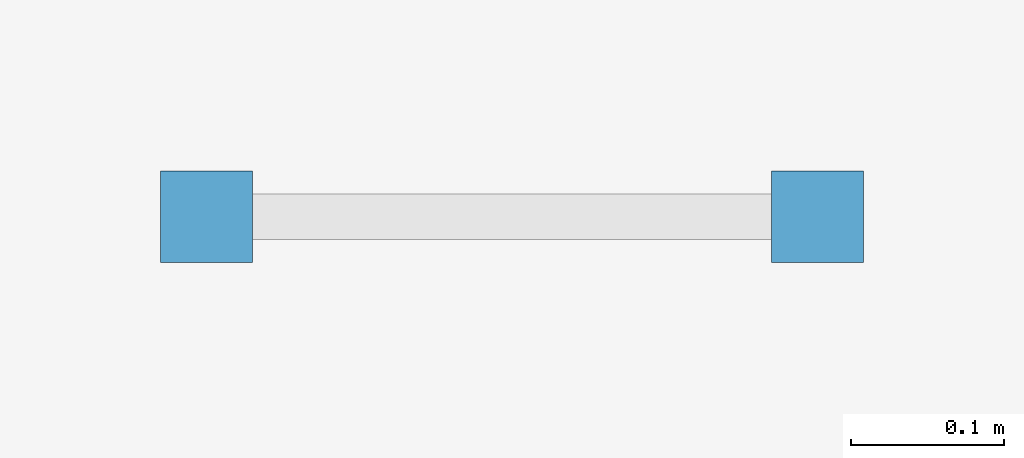
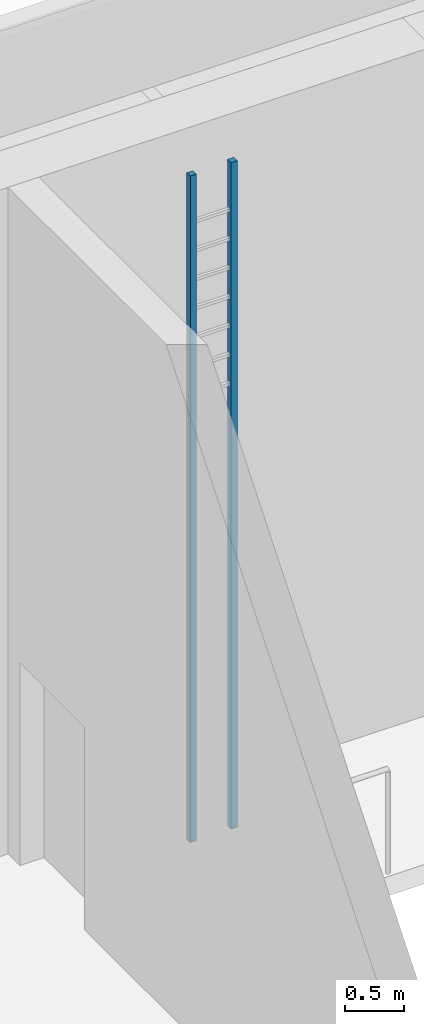
# One storey, part 5 of 8: 2 discrete accessories.
"""IFC4 building model written with IfcOpenShell, lengths in metres."""

from ifc_helpers import new_model, si_unit, direction, frame, origin, origin_2d, place, context, subcontext, project, spatial, rectangle, extrude, element, save


model = new_model("IFC4")

# Units and contexts
model_context = context("Model", 3, precision=1e-05, world=origin(), true_north=direction((0.0, 1.0)))
body_context = subcontext(model_context, "Body", "Model", "MODEL_VIEW")
ifc_project = project(units=[si_unit("LENGTHUNIT", "METRE"), si_unit("AREAUNIT", "SQUARE_METRE"), si_unit("VOLUMEUNIT", "CUBIC_METRE"), si_unit("PLANEANGLEUNIT", "RADIAN"), si_unit("MASSUNIT", "GRAM", prefix="KILO")], contexts=[model_context])

# Site, building, storey
site_placement = place(None, origin())
site = spatial("IfcSite", under=ifc_project, at=site_placement, CompositionType="ELEMENT")
building_placement = place(site_placement, origin())
building = spatial("IfcBuilding", under=site, at=building_placement, Name="Amberfall Residences", CompositionType="ELEMENT")
storey_placement = place(building_placement, frame((0.0, 0.0, 301.60009765625)))
storey = spatial("IfcBuildingStorey", under=building, at=storey_placement, Name="L81 Crown", CompositionType="ELEMENT", Elevation=301.60009765625)

# Discrete accessories
for number, where, z_axis, x_axis, name in (
    (1, (83.300048828125, 56.39990234375, 0.0), (0.0, 0.0, 1.0), (1.0, 0.0, 0.0), "Roof ladder stile"),
    (2, (83.699951171875, 56.39990234375, 0.0), (0.0, 0.0, 1.0), (1.0, 0.0, 0.0), "Roof ladder stile"),
):
    element("IfcDiscreteAccessory", number, at=place(storey_placement, frame(where, z_axis=z_axis, x_axis=x_axis)), inside=storey, Name=name, ObjectType="Roof access ladder", PredefinedType="USERDEFINED", context=body_context, shape_type="SweptSolid", body=[
        extrude(rectangle(XDim=0.06005859375, YDim=0.06005859375, at=origin_2d()), origin(), (0.0, 0.0, 1.0), 6.89990234375),
    ])

save(model, "model.ifc")
